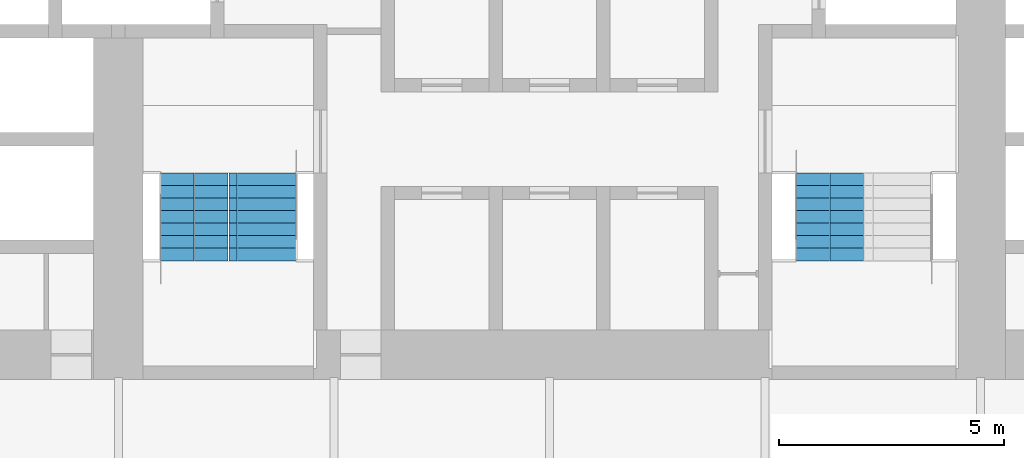
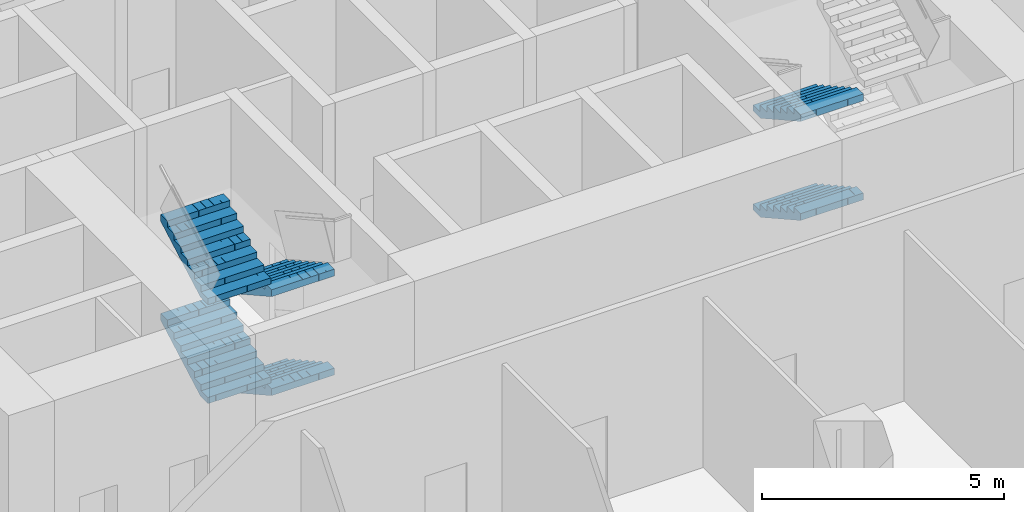
# One storey, part 24 of 29: 6 stair flights, 2 elements without a shape of their own.
"""IFC4 building model written with IfcOpenShell, lengths in metres."""

from ifc_helpers import new_model, si_unit, direction, frame, origin, place, context, subcontext, project, spatial, polyline, outline, extrude, material, type_object, element, aggregate, save


model = new_model("IFC4")

# Units and contexts
model_context = context("Model", 3, precision=1e-05, world=origin(), true_north=direction((0.0, 1.0)))
body_context = subcontext(model_context, "Body", "Model", "MODEL_VIEW")
ifc_project = project(units=[si_unit("LENGTHUNIT", "METRE"), si_unit("AREAUNIT", "SQUARE_METRE"), si_unit("VOLUMEUNIT", "CUBIC_METRE"), si_unit("PLANEANGLEUNIT", "RADIAN"), si_unit("MASSUNIT", "GRAM", prefix="KILO")], contexts=[model_context])

# Site, building, storey
site_placement = place(None, origin())
site = spatial("IfcSite", under=ifc_project, at=site_placement, CompositionType="ELEMENT")
building_placement = place(site_placement, origin())
building = spatial("IfcBuilding", under=site, at=building_placement, Name="Kolab Exchange Tower", CompositionType="ELEMENT")
storey_placement = place(building_placement, frame((0.0, 0.0, 17.39990234375)))
storey = spatial("IfcBuildingStorey", under=building, at=storey_placement, Name="L03", CompositionType="ELEMENT", Elevation=17.39990234375)

# Stair, stair flights
ifc_material = material(Name="Concrete C50/60", Category="concrete")
stair_type_1 = type_object("IfcStairType", Name="STAIR ST3 RISER 156.2", PredefinedType="DOUBLE_RETURN_STAIR", material=ifc_material)
stair_1_placement = place(storey_placement, origin())
stair_1 = element("IfcStair", 1, at=stair_1_placement, inside=storey, type_object=stair_type_1, Name="Stair 3", PredefinedType="DOUBLE_RETURN_STAIR")
stair_flight_type = type_object("IfcStairFlightType", Name="STAIR FLIGHT 1500 RISER 156.2", PredefinedType="STRAIGHT", material=ifc_material)
stair_flight_1_placement = place(storey_placement, frame((-6.389892578125, -5.550048828125, 0.0), z_axis=(0.0, 0.0, 1.0), x_axis=(0.0, -1.0, 0.0)))
stair_flight_1 = element("IfcStairFlight", 2, at=stair_flight_1_placement, type_object=stair_flight_type, Name="ST3 flight 1", NumberOfRisers=8, NumberOfTreads=7, PredefinedType="STRAIGHT", RiserHeight=0.15625, TreadLength=0.28, context=body_context, shape_type="SweptSolid", body=[
    extrude(outline(polyline([(0.0, 0.0), (0.0, 0.15625), (0.280029296875, 0.15625), (0.280029296875, 0.3125), (0.56005859375, 0.3125), (0.56005859375, 0.46875), (0.840087890625, 0.46875), (0.840087890625, 0.625), (1.1201171875, 0.625), (1.1201171875, 0.78125), (1.39990234375, 0.78125), (1.39990234375, 0.9375), (1.679931640625, 0.9375), (1.679931640625, 1.09375), (1.9599609375, 1.09375), (1.9599609375, 1.25), (1.9599609375, 0.922119140625), (0.3076171875, 0.0), (0.0, 0.0)])), frame((0.0, 0.75, 0.0), z_axis=(0.0, -1.0, 0.0), x_axis=(1.0, 0.0, 0.0)), (0.0, 0.0, 1.0), 0.185791015625),
    extrude(outline(polyline([(0.0, 0.0), (0.0, 0.15625), (0.280029296875, 0.15625), (0.280029296875, 0.3125), (0.56005859375, 0.3125), (0.56005859375, 0.46875), (0.840087890625, 0.46875), (0.840087890625, 0.625), (1.1201171875, 0.625), (1.1201171875, 0.78125), (1.39990234375, 0.78125), (1.39990234375, 0.9375), (1.679931640625, 0.9375), (1.679931640625, 1.09375), (1.9599609375, 1.09375), (1.9599609375, 1.25), (1.9599609375, 0.922119140625), (0.3076171875, 0.0), (0.0, 0.0)])), frame((0.0, 0.562255859375, 0.0), z_axis=(0.0, -1.0, 0.0), x_axis=(1.0, 0.0, 0.0)), (0.0, 0.0, 1.0), 0.185791015625),
    extrude(outline(polyline([(0.0, 0.0), (0.0, 0.15625), (0.280029296875, 0.15625), (0.280029296875, 0.3125), (0.56005859375, 0.3125), (0.56005859375, 0.46875), (0.840087890625, 0.46875), (0.840087890625, 0.625), (1.1201171875, 0.625), (1.1201171875, 0.78125), (1.39990234375, 0.78125), (1.39990234375, 0.9375), (1.679931640625, 0.9375), (1.679931640625, 1.09375), (1.9599609375, 1.09375), (1.9599609375, 1.25), (1.9599609375, 0.922119140625), (0.3076171875, 0.0), (0.0, 0.0)])), frame((0.0, 0.37451171875, 0.0), z_axis=(0.0, -1.0, 0.0), x_axis=(1.0, 0.0, 0.0)), (0.0, 0.0, 1.0), 0.185791015625),
    extrude(outline(polyline([(0.0, 0.0), (0.0, 0.15625), (0.280029296875, 0.15625), (0.280029296875, 0.3125), (0.56005859375, 0.3125), (0.56005859375, 0.46875), (0.840087890625, 0.46875), (0.840087890625, 0.625), (1.1201171875, 0.625), (1.1201171875, 0.78125), (1.39990234375, 0.78125), (1.39990234375, 0.9375), (1.679931640625, 0.9375), (1.679931640625, 1.09375), (1.9599609375, 1.09375), (1.9599609375, 1.25), (1.9599609375, 0.922119140625), (0.3076171875, 0.0), (0.0, 0.0)])), frame((0.0, 0.186767578125, 0.0), z_axis=(0.0, -1.0, 0.0), x_axis=(1.0, 0.0, 0.0)), (0.0, 0.0, 1.0), 0.185791015625),
    extrude(outline(polyline([(0.0, 0.0), (0.0, 0.15625), (0.280029296875, 0.15625), (0.280029296875, 0.3125), (0.56005859375, 0.3125), (0.56005859375, 0.46875), (0.840087890625, 0.46875), (0.840087890625, 0.625), (1.1201171875, 0.625), (1.1201171875, 0.78125), (1.39990234375, 0.78125), (1.39990234375, 0.9375), (1.679931640625, 0.9375), (1.679931640625, 1.09375), (1.9599609375, 1.09375), (1.9599609375, 1.25), (1.9599609375, 0.922119140625), (0.3076171875, 0.0), (0.0, 0.0)])), frame((0.0, -0.0009765625, 0.0), z_axis=(0.0, -1.0, 0.0), x_axis=(1.0, 0.0, 0.0)), (0.0, 0.0, 1.0), 0.185791015625),
    extrude(outline(polyline([(0.0, 0.0), (0.0, 0.15625), (0.280029296875, 0.15625), (0.280029296875, 0.3125), (0.56005859375, 0.3125), (0.56005859375, 0.46875), (0.840087890625, 0.46875), (0.840087890625, 0.625), (1.1201171875, 0.625), (1.1201171875, 0.78125), (1.39990234375, 0.78125), (1.39990234375, 0.9375), (1.679931640625, 0.9375), (1.679931640625, 1.09375), (1.9599609375, 1.09375), (1.9599609375, 1.25), (1.9599609375, 0.922119140625), (0.3076171875, 0.0), (0.0, 0.0)])), frame((0.0, -0.188720703125, 0.0), z_axis=(0.0, -1.0, 0.0), x_axis=(1.0, 0.0, 0.0)), (0.0, 0.0, 1.0), 0.185791015625),
    extrude(outline(polyline([(0.0, 0.0), (0.0, 0.15625), (0.280029296875, 0.15625), (0.280029296875, 0.3125), (0.56005859375, 0.3125), (0.56005859375, 0.46875), (0.840087890625, 0.46875), (0.840087890625, 0.625), (1.1201171875, 0.625), (1.1201171875, 0.78125), (1.39990234375, 0.78125), (1.39990234375, 0.9375), (1.679931640625, 0.9375), (1.679931640625, 1.09375), (1.9599609375, 1.09375), (1.9599609375, 1.25), (1.9599609375, 0.922119140625), (0.3076171875, 0.0), (0.0, 0.0)])), frame((0.0, -0.37646484375, 0.0), z_axis=(0.0, -1.0, 0.0), x_axis=(1.0, 0.0, 0.0)), (0.0, 0.0, 1.0), 0.185791015625),
    extrude(outline(polyline([(0.0, 0.0), (0.0, 0.15625), (0.280029296875, 0.15625), (0.280029296875, 0.3125), (0.56005859375, 0.3125), (0.56005859375, 0.46875), (0.840087890625, 0.46875), (0.840087890625, 0.625), (1.1201171875, 0.625), (1.1201171875, 0.78125), (1.39990234375, 0.78125), (1.39990234375, 0.9375), (1.679931640625, 0.9375), (1.679931640625, 1.09375), (1.9599609375, 1.09375), (1.9599609375, 1.25), (1.9599609375, 0.922119140625), (0.3076171875, 0.0), (0.0, 0.0)])), frame((0.0, -0.564208984375, 0.0), z_axis=(0.0, -1.0, 0.0), x_axis=(1.0, 0.0, 0.0)), (0.0, 0.0, 1.0), 0.185791015625),
])
stair_flight_2_placement = place(storey_placement, frame((-7.909912109375, -7.510009765625, 1.25), z_axis=(0.0, 0.0, 1.0), x_axis=(0.0, 1.0, 0.0)))
stair_flight_2 = element("IfcStairFlight", 3, at=stair_flight_2_placement, type_object=stair_flight_type, Name="ST3 flight 2", NumberOfRisers=8, NumberOfTreads=7, PredefinedType="STRAIGHT", RiserHeight=0.15625, TreadLength=0.28, context=body_context, shape_type="SweptSolid", body=[
    extrude(outline(polyline([(0.0, 0.0), (0.0, 0.15625), (0.280029296875, 0.15625), (0.280029296875, 0.3125), (0.56005859375, 0.3125), (0.56005859375, 0.46875), (0.840087890625, 0.46875), (0.840087890625, 0.625), (1.1201171875, 0.625), (1.1201171875, 0.78125), (1.39990234375, 0.78125), (1.39990234375, 0.9375), (1.679931640625, 0.9375), (1.679931640625, 1.09375), (1.9599609375, 1.09375), (1.9599609375, 1.25), (1.9599609375, 0.922119140625), (0.3076171875, 0.0), (0.0, 0.0)])), frame((0.0, 0.75, 0.0), z_axis=(0.0, -1.0, 0.0), x_axis=(1.0, 0.0, 0.0)), (0.0, 0.0, 1.0), 0.185791015625),
    extrude(outline(polyline([(0.0, 0.0), (0.0, 0.15625), (0.280029296875, 0.15625), (0.280029296875, 0.3125), (0.56005859375, 0.3125), (0.56005859375, 0.46875), (0.840087890625, 0.46875), (0.840087890625, 0.625), (1.1201171875, 0.625), (1.1201171875, 0.78125), (1.39990234375, 0.78125), (1.39990234375, 0.9375), (1.679931640625, 0.9375), (1.679931640625, 1.09375), (1.9599609375, 1.09375), (1.9599609375, 1.25), (1.9599609375, 0.922119140625), (0.3076171875, 0.0), (0.0, 0.0)])), frame((0.0, 0.562255859375, 0.0), z_axis=(0.0, -1.0, 0.0), x_axis=(1.0, 0.0, 0.0)), (0.0, 0.0, 1.0), 0.185791015625),
    extrude(outline(polyline([(0.0, 0.0), (0.0, 0.15625), (0.280029296875, 0.15625), (0.280029296875, 0.3125), (0.56005859375, 0.3125), (0.56005859375, 0.46875), (0.840087890625, 0.46875), (0.840087890625, 0.625), (1.1201171875, 0.625), (1.1201171875, 0.78125), (1.39990234375, 0.78125), (1.39990234375, 0.9375), (1.679931640625, 0.9375), (1.679931640625, 1.09375), (1.9599609375, 1.09375), (1.9599609375, 1.25), (1.9599609375, 0.922119140625), (0.3076171875, 0.0), (0.0, 0.0)])), frame((0.0, 0.37451171875, 0.0), z_axis=(0.0, -1.0, 0.0), x_axis=(1.0, 0.0, 0.0)), (0.0, 0.0, 1.0), 0.185791015625),
    extrude(outline(polyline([(0.0, 0.0), (0.0, 0.15625), (0.280029296875, 0.15625), (0.280029296875, 0.3125), (0.56005859375, 0.3125), (0.56005859375, 0.46875), (0.840087890625, 0.46875), (0.840087890625, 0.625), (1.1201171875, 0.625), (1.1201171875, 0.78125), (1.39990234375, 0.78125), (1.39990234375, 0.9375), (1.679931640625, 0.9375), (1.679931640625, 1.09375), (1.9599609375, 1.09375), (1.9599609375, 1.25), (1.9599609375, 0.922119140625), (0.3076171875, 0.0), (0.0, 0.0)])), frame((0.0, 0.186767578125, 0.0), z_axis=(0.0, -1.0, 0.0), x_axis=(1.0, 0.0, 0.0)), (0.0, 0.0, 1.0), 0.185791015625),
    extrude(outline(polyline([(0.0, 0.0), (0.0, 0.15625), (0.280029296875, 0.15625), (0.280029296875, 0.3125), (0.56005859375, 0.3125), (0.56005859375, 0.46875), (0.840087890625, 0.46875), (0.840087890625, 0.625), (1.1201171875, 0.625), (1.1201171875, 0.78125), (1.39990234375, 0.78125), (1.39990234375, 0.9375), (1.679931640625, 0.9375), (1.679931640625, 1.09375), (1.9599609375, 1.09375), (1.9599609375, 1.25), (1.9599609375, 0.922119140625), (0.3076171875, 0.0), (0.0, 0.0)])), frame((0.0, -0.0009765625, 0.0), z_axis=(0.0, -1.0, 0.0), x_axis=(1.0, 0.0, 0.0)), (0.0, 0.0, 1.0), 0.185791015625),
    extrude(outline(polyline([(0.0, 0.0), (0.0, 0.15625), (0.280029296875, 0.15625), (0.280029296875, 0.3125), (0.56005859375, 0.3125), (0.56005859375, 0.46875), (0.840087890625, 0.46875), (0.840087890625, 0.625), (1.1201171875, 0.625), (1.1201171875, 0.78125), (1.39990234375, 0.78125), (1.39990234375, 0.9375), (1.679931640625, 0.9375), (1.679931640625, 1.09375), (1.9599609375, 1.09375), (1.9599609375, 1.25), (1.9599609375, 0.922119140625), (0.3076171875, 0.0), (0.0, 0.0)])), frame((0.0, -0.188720703125, 0.0), z_axis=(0.0, -1.0, 0.0), x_axis=(1.0, 0.0, 0.0)), (0.0, 0.0, 1.0), 0.185791015625),
    extrude(outline(polyline([(0.0, 0.0), (0.0, 0.15625), (0.280029296875, 0.15625), (0.280029296875, 0.3125), (0.56005859375, 0.3125), (0.56005859375, 0.46875), (0.840087890625, 0.46875), (0.840087890625, 0.625), (1.1201171875, 0.625), (1.1201171875, 0.78125), (1.39990234375, 0.78125), (1.39990234375, 0.9375), (1.679931640625, 0.9375), (1.679931640625, 1.09375), (1.9599609375, 1.09375), (1.9599609375, 1.25), (1.9599609375, 0.922119140625), (0.3076171875, 0.0), (0.0, 0.0)])), frame((0.0, -0.37646484375, 0.0), z_axis=(0.0, -1.0, 0.0), x_axis=(1.0, 0.0, 0.0)), (0.0, 0.0, 1.0), 0.185791015625),
    extrude(outline(polyline([(0.0, 0.0), (0.0, 0.15625), (0.280029296875, 0.15625), (0.280029296875, 0.3125), (0.56005859375, 0.3125), (0.56005859375, 0.46875), (0.840087890625, 0.46875), (0.840087890625, 0.625), (1.1201171875, 0.625), (1.1201171875, 0.78125), (1.39990234375, 0.78125), (1.39990234375, 0.9375), (1.679931640625, 0.9375), (1.679931640625, 1.09375), (1.9599609375, 1.09375), (1.9599609375, 1.25), (1.9599609375, 0.922119140625), (0.3076171875, 0.0), (0.0, 0.0)])), frame((0.0, -0.564208984375, 0.0), z_axis=(0.0, -1.0, 0.0), x_axis=(1.0, 0.0, 0.0)), (0.0, 0.0, 1.0), 0.185791015625),
])
stair_flight_3_placement = place(storey_placement, frame((-6.389892578125, -5.550048828125, 2.5), z_axis=(0.0, 0.0, 1.0), x_axis=(0.0, -1.0, 0.0)))
stair_flight_3 = element("IfcStairFlight", 4, at=stair_flight_3_placement, type_object=stair_flight_type, Name="ST3 flight 3", NumberOfRisers=8, NumberOfTreads=7, PredefinedType="STRAIGHT", RiserHeight=0.15625, TreadLength=0.28, context=body_context, shape_type="SweptSolid", body=[
    extrude(outline(polyline([(0.0, 0.0), (0.0, 0.15625), (0.280029296875, 0.15625), (0.280029296875, 0.3125), (0.56005859375, 0.3125), (0.56005859375, 0.46875), (0.840087890625, 0.46875), (0.840087890625, 0.625), (1.1201171875, 0.625), (1.1201171875, 0.78125), (1.39990234375, 0.78125), (1.39990234375, 0.9375), (1.679931640625, 0.9375), (1.679931640625, 1.09375), (1.9599609375, 1.09375), (1.9599609375, 1.25), (1.9599609375, 0.922119140625), (0.3076171875, 0.0), (0.0, 0.0)])), frame((0.0, 0.75, 0.0), z_axis=(0.0, -1.0, 0.0), x_axis=(1.0, 0.0, 0.0)), (0.0, 0.0, 1.0), 0.185791015625),
    extrude(outline(polyline([(0.0, 0.0), (0.0, 0.15625), (0.280029296875, 0.15625), (0.280029296875, 0.3125), (0.56005859375, 0.3125), (0.56005859375, 0.46875), (0.840087890625, 0.46875), (0.840087890625, 0.625), (1.1201171875, 0.625), (1.1201171875, 0.78125), (1.39990234375, 0.78125), (1.39990234375, 0.9375), (1.679931640625, 0.9375), (1.679931640625, 1.09375), (1.9599609375, 1.09375), (1.9599609375, 1.25), (1.9599609375, 0.922119140625), (0.3076171875, 0.0), (0.0, 0.0)])), frame((0.0, 0.562255859375, 0.0), z_axis=(0.0, -1.0, 0.0), x_axis=(1.0, 0.0, 0.0)), (0.0, 0.0, 1.0), 0.185791015625),
    extrude(outline(polyline([(0.0, 0.0), (0.0, 0.15625), (0.280029296875, 0.15625), (0.280029296875, 0.3125), (0.56005859375, 0.3125), (0.56005859375, 0.46875), (0.840087890625, 0.46875), (0.840087890625, 0.625), (1.1201171875, 0.625), (1.1201171875, 0.78125), (1.39990234375, 0.78125), (1.39990234375, 0.9375), (1.679931640625, 0.9375), (1.679931640625, 1.09375), (1.9599609375, 1.09375), (1.9599609375, 1.25), (1.9599609375, 0.922119140625), (0.3076171875, 0.0), (0.0, 0.0)])), frame((0.0, 0.37451171875, 0.0), z_axis=(0.0, -1.0, 0.0), x_axis=(1.0, 0.0, 0.0)), (0.0, 0.0, 1.0), 0.185791015625),
    extrude(outline(polyline([(0.0, 0.0), (0.0, 0.15625), (0.280029296875, 0.15625), (0.280029296875, 0.3125), (0.56005859375, 0.3125), (0.56005859375, 0.46875), (0.840087890625, 0.46875), (0.840087890625, 0.625), (1.1201171875, 0.625), (1.1201171875, 0.78125), (1.39990234375, 0.78125), (1.39990234375, 0.9375), (1.679931640625, 0.9375), (1.679931640625, 1.09375), (1.9599609375, 1.09375), (1.9599609375, 1.25), (1.9599609375, 0.922119140625), (0.3076171875, 0.0), (0.0, 0.0)])), frame((0.0, 0.186767578125, 0.0), z_axis=(0.0, -1.0, 0.0), x_axis=(1.0, 0.0, 0.0)), (0.0, 0.0, 1.0), 0.185791015625),
    extrude(outline(polyline([(0.0, 0.0), (0.0, 0.15625), (0.280029296875, 0.15625), (0.280029296875, 0.3125), (0.56005859375, 0.3125), (0.56005859375, 0.46875), (0.840087890625, 0.46875), (0.840087890625, 0.625), (1.1201171875, 0.625), (1.1201171875, 0.78125), (1.39990234375, 0.78125), (1.39990234375, 0.9375), (1.679931640625, 0.9375), (1.679931640625, 1.09375), (1.9599609375, 1.09375), (1.9599609375, 1.25), (1.9599609375, 0.922119140625), (0.3076171875, 0.0), (0.0, 0.0)])), frame((0.0, -0.0009765625, 0.0), z_axis=(0.0, -1.0, 0.0), x_axis=(1.0, 0.0, 0.0)), (0.0, 0.0, 1.0), 0.185791015625),
    extrude(outline(polyline([(0.0, 0.0), (0.0, 0.15625), (0.280029296875, 0.15625), (0.280029296875, 0.3125), (0.56005859375, 0.3125), (0.56005859375, 0.46875), (0.840087890625, 0.46875), (0.840087890625, 0.625), (1.1201171875, 0.625), (1.1201171875, 0.78125), (1.39990234375, 0.78125), (1.39990234375, 0.9375), (1.679931640625, 0.9375), (1.679931640625, 1.09375), (1.9599609375, 1.09375), (1.9599609375, 1.25), (1.9599609375, 0.922119140625), (0.3076171875, 0.0), (0.0, 0.0)])), frame((0.0, -0.188720703125, 0.0), z_axis=(0.0, -1.0, 0.0), x_axis=(1.0, 0.0, 0.0)), (0.0, 0.0, 1.0), 0.185791015625),
    extrude(outline(polyline([(0.0, 0.0), (0.0, 0.15625), (0.280029296875, 0.15625), (0.280029296875, 0.3125), (0.56005859375, 0.3125), (0.56005859375, 0.46875), (0.840087890625, 0.46875), (0.840087890625, 0.625), (1.1201171875, 0.625), (1.1201171875, 0.78125), (1.39990234375, 0.78125), (1.39990234375, 0.9375), (1.679931640625, 0.9375), (1.679931640625, 1.09375), (1.9599609375, 1.09375), (1.9599609375, 1.25), (1.9599609375, 0.922119140625), (0.3076171875, 0.0), (0.0, 0.0)])), frame((0.0, -0.37646484375, 0.0), z_axis=(0.0, -1.0, 0.0), x_axis=(1.0, 0.0, 0.0)), (0.0, 0.0, 1.0), 0.185791015625),
    extrude(outline(polyline([(0.0, 0.0), (0.0, 0.15625), (0.280029296875, 0.15625), (0.280029296875, 0.3125), (0.56005859375, 0.3125), (0.56005859375, 0.46875), (0.840087890625, 0.46875), (0.840087890625, 0.625), (1.1201171875, 0.625), (1.1201171875, 0.78125), (1.39990234375, 0.78125), (1.39990234375, 0.9375), (1.679931640625, 0.9375), (1.679931640625, 1.09375), (1.9599609375, 1.09375), (1.9599609375, 1.25), (1.9599609375, 0.922119140625), (0.3076171875, 0.0), (0.0, 0.0)])), frame((0.0, -0.564208984375, 0.0), z_axis=(0.0, -1.0, 0.0), x_axis=(1.0, 0.0, 0.0)), (0.0, 0.0, 1.0), 0.185791015625),
])
stair_flight_4_placement = place(storey_placement, frame((-7.909912109375, -7.510009765625, 3.75), z_axis=(0.0, 0.0, 1.0), x_axis=(0.0, 1.0, 0.0)))
stair_flight_4 = element("IfcStairFlight", 5, at=stair_flight_4_placement, type_object=stair_flight_type, Name="ST3 flight 4", NumberOfRisers=8, NumberOfTreads=7, PredefinedType="STRAIGHT", RiserHeight=0.15625, TreadLength=0.28, context=body_context, shape_type="SweptSolid", body=[
    extrude(outline(polyline([(0.0, 0.0), (0.0, 0.15625), (0.280029296875, 0.15625), (0.280029296875, 0.3125), (0.56005859375, 0.3125), (0.56005859375, 0.46875), (0.840087890625, 0.46875), (0.840087890625, 0.625), (1.1201171875, 0.625), (1.1201171875, 0.78125), (1.39990234375, 0.78125), (1.39990234375, 0.9375), (1.679931640625, 0.9375), (1.679931640625, 1.09375), (1.9599609375, 1.09375), (1.9599609375, 1.25), (1.9599609375, 0.922119140625), (0.3076171875, 0.0), (0.0, 0.0)])), frame((0.0, 0.75, 0.0), z_axis=(0.0, -1.0, 0.0), x_axis=(1.0, 0.0, 0.0)), (0.0, 0.0, 1.0), 0.185791015625),
    extrude(outline(polyline([(0.0, 0.0), (0.0, 0.15625), (0.280029296875, 0.15625), (0.280029296875, 0.3125), (0.56005859375, 0.3125), (0.56005859375, 0.46875), (0.840087890625, 0.46875), (0.840087890625, 0.625), (1.1201171875, 0.625), (1.1201171875, 0.78125), (1.39990234375, 0.78125), (1.39990234375, 0.9375), (1.679931640625, 0.9375), (1.679931640625, 1.09375), (1.9599609375, 1.09375), (1.9599609375, 1.25), (1.9599609375, 0.922119140625), (0.3076171875, 0.0), (0.0, 0.0)])), frame((0.0, 0.562255859375, 0.0), z_axis=(0.0, -1.0, 0.0), x_axis=(1.0, 0.0, 0.0)), (0.0, 0.0, 1.0), 0.185791015625),
    extrude(outline(polyline([(0.0, 0.0), (0.0, 0.15625), (0.280029296875, 0.15625), (0.280029296875, 0.3125), (0.56005859375, 0.3125), (0.56005859375, 0.46875), (0.840087890625, 0.46875), (0.840087890625, 0.625), (1.1201171875, 0.625), (1.1201171875, 0.78125), (1.39990234375, 0.78125), (1.39990234375, 0.9375), (1.679931640625, 0.9375), (1.679931640625, 1.09375), (1.9599609375, 1.09375), (1.9599609375, 1.25), (1.9599609375, 0.922119140625), (0.3076171875, 0.0), (0.0, 0.0)])), frame((0.0, 0.37451171875, 0.0), z_axis=(0.0, -1.0, 0.0), x_axis=(1.0, 0.0, 0.0)), (0.0, 0.0, 1.0), 0.185791015625),
    extrude(outline(polyline([(0.0, 0.0), (0.0, 0.15625), (0.280029296875, 0.15625), (0.280029296875, 0.3125), (0.56005859375, 0.3125), (0.56005859375, 0.46875), (0.840087890625, 0.46875), (0.840087890625, 0.625), (1.1201171875, 0.625), (1.1201171875, 0.78125), (1.39990234375, 0.78125), (1.39990234375, 0.9375), (1.679931640625, 0.9375), (1.679931640625, 1.09375), (1.9599609375, 1.09375), (1.9599609375, 1.25), (1.9599609375, 0.922119140625), (0.3076171875, 0.0), (0.0, 0.0)])), frame((0.0, 0.186767578125, 0.0), z_axis=(0.0, -1.0, 0.0), x_axis=(1.0, 0.0, 0.0)), (0.0, 0.0, 1.0), 0.185791015625),
    extrude(outline(polyline([(0.0, 0.0), (0.0, 0.15625), (0.280029296875, 0.15625), (0.280029296875, 0.3125), (0.56005859375, 0.3125), (0.56005859375, 0.46875), (0.840087890625, 0.46875), (0.840087890625, 0.625), (1.1201171875, 0.625), (1.1201171875, 0.78125), (1.39990234375, 0.78125), (1.39990234375, 0.9375), (1.679931640625, 0.9375), (1.679931640625, 1.09375), (1.9599609375, 1.09375), (1.9599609375, 1.25), (1.9599609375, 0.922119140625), (0.3076171875, 0.0), (0.0, 0.0)])), frame((0.0, -0.0009765625, 0.0), z_axis=(0.0, -1.0, 0.0), x_axis=(1.0, 0.0, 0.0)), (0.0, 0.0, 1.0), 0.185791015625),
    extrude(outline(polyline([(0.0, 0.0), (0.0, 0.15625), (0.280029296875, 0.15625), (0.280029296875, 0.3125), (0.56005859375, 0.3125), (0.56005859375, 0.46875), (0.840087890625, 0.46875), (0.840087890625, 0.625), (1.1201171875, 0.625), (1.1201171875, 0.78125), (1.39990234375, 0.78125), (1.39990234375, 0.9375), (1.679931640625, 0.9375), (1.679931640625, 1.09375), (1.9599609375, 1.09375), (1.9599609375, 1.25), (1.9599609375, 0.922119140625), (0.3076171875, 0.0), (0.0, 0.0)])), frame((0.0, -0.188720703125, 0.0), z_axis=(0.0, -1.0, 0.0), x_axis=(1.0, 0.0, 0.0)), (0.0, 0.0, 1.0), 0.185791015625),
    extrude(outline(polyline([(0.0, 0.0), (0.0, 0.15625), (0.280029296875, 0.15625), (0.280029296875, 0.3125), (0.56005859375, 0.3125), (0.56005859375, 0.46875), (0.840087890625, 0.46875), (0.840087890625, 0.625), (1.1201171875, 0.625), (1.1201171875, 0.78125), (1.39990234375, 0.78125), (1.39990234375, 0.9375), (1.679931640625, 0.9375), (1.679931640625, 1.09375), (1.9599609375, 1.09375), (1.9599609375, 1.25), (1.9599609375, 0.922119140625), (0.3076171875, 0.0), (0.0, 0.0)])), frame((0.0, -0.37646484375, 0.0), z_axis=(0.0, -1.0, 0.0), x_axis=(1.0, 0.0, 0.0)), (0.0, 0.0, 1.0), 0.185791015625),
    extrude(outline(polyline([(0.0, 0.0), (0.0, 0.15625), (0.280029296875, 0.15625), (0.280029296875, 0.3125), (0.56005859375, 0.3125), (0.56005859375, 0.46875), (0.840087890625, 0.46875), (0.840087890625, 0.625), (1.1201171875, 0.625), (1.1201171875, 0.78125), (1.39990234375, 0.78125), (1.39990234375, 0.9375), (1.679931640625, 0.9375), (1.679931640625, 1.09375), (1.9599609375, 1.09375), (1.9599609375, 1.25), (1.9599609375, 0.922119140625), (0.3076171875, 0.0), (0.0, 0.0)])), frame((0.0, -0.564208984375, 0.0), z_axis=(0.0, -1.0, 0.0), x_axis=(1.0, 0.0, 0.0)), (0.0, 0.0, 1.0), 0.185791015625),
])
aggregate(stair_1, [stair_flight_1, stair_flight_2, stair_flight_3, stair_flight_4])

stair_type_2 = type_object("IfcStairType", Name="STAIR ST2 RISER 156.2", PredefinedType="DOUBLE_RETURN_STAIR", material=ifc_material)
stair_2_placement = place(storey_placement, origin())
stair_2 = element("IfcStair", 6, at=stair_2_placement, inside=storey, type_object=stair_type_2, Name="Stair 2", PredefinedType="DOUBLE_RETURN_STAIR")
stair_flight_5_placement = place(storey_placement, frame((6.239990234375, -5.550048828125, 0.0), z_axis=(0.0, 0.0, 1.0), x_axis=(0.0, -1.0, 0.0)))
stair_flight_5 = element("IfcStairFlight", 7, at=stair_flight_5_placement, type_object=stair_flight_type, Name="ST2 flight 1", NumberOfRisers=8, NumberOfTreads=7, PredefinedType="STRAIGHT", RiserHeight=0.15625, TreadLength=0.28, context=body_context, shape_type="SweptSolid", body=[
    extrude(outline(polyline([(0.0, 0.0), (0.0, 0.15625), (0.280029296875, 0.15625), (0.280029296875, 0.3125), (0.56005859375, 0.3125), (0.56005859375, 0.46875), (0.840087890625, 0.46875), (0.840087890625, 0.625), (1.1201171875, 0.625), (1.1201171875, 0.78125), (1.39990234375, 0.78125), (1.39990234375, 0.9375), (1.679931640625, 0.9375), (1.679931640625, 1.09375), (1.9599609375, 1.09375), (1.9599609375, 1.25), (1.9599609375, 0.922119140625), (0.3076171875, 0.0), (0.0, 0.0)])), frame((0.0, 0.75, 0.0), z_axis=(0.0, -1.0, 0.0), x_axis=(1.0, 0.0, 0.0)), (0.0, 0.0, 1.0), 0.185791015625),
    extrude(outline(polyline([(0.0, 0.0), (0.0, 0.15625), (0.280029296875, 0.15625), (0.280029296875, 0.3125), (0.56005859375, 0.3125), (0.56005859375, 0.46875), (0.840087890625, 0.46875), (0.840087890625, 0.625), (1.1201171875, 0.625), (1.1201171875, 0.78125), (1.39990234375, 0.78125), (1.39990234375, 0.9375), (1.679931640625, 0.9375), (1.679931640625, 1.09375), (1.9599609375, 1.09375), (1.9599609375, 1.25), (1.9599609375, 0.922119140625), (0.3076171875, 0.0), (0.0, 0.0)])), frame((0.0, 0.562255859375, 0.0), z_axis=(0.0, -1.0, 0.0), x_axis=(1.0, 0.0, 0.0)), (0.0, 0.0, 1.0), 0.185791015625),
    extrude(outline(polyline([(0.0, 0.0), (0.0, 0.15625), (0.280029296875, 0.15625), (0.280029296875, 0.3125), (0.56005859375, 0.3125), (0.56005859375, 0.46875), (0.840087890625, 0.46875), (0.840087890625, 0.625), (1.1201171875, 0.625), (1.1201171875, 0.78125), (1.39990234375, 0.78125), (1.39990234375, 0.9375), (1.679931640625, 0.9375), (1.679931640625, 1.09375), (1.9599609375, 1.09375), (1.9599609375, 1.25), (1.9599609375, 0.922119140625), (0.3076171875, 0.0), (0.0, 0.0)])), frame((0.0, 0.37451171875, 0.0), z_axis=(0.0, -1.0, 0.0), x_axis=(1.0, 0.0, 0.0)), (0.0, 0.0, 1.0), 0.185791015625),
    extrude(outline(polyline([(0.0, 0.0), (0.0, 0.15625), (0.280029296875, 0.15625), (0.280029296875, 0.3125), (0.56005859375, 0.3125), (0.56005859375, 0.46875), (0.840087890625, 0.46875), (0.840087890625, 0.625), (1.1201171875, 0.625), (1.1201171875, 0.78125), (1.39990234375, 0.78125), (1.39990234375, 0.9375), (1.679931640625, 0.9375), (1.679931640625, 1.09375), (1.9599609375, 1.09375), (1.9599609375, 1.25), (1.9599609375, 0.922119140625), (0.3076171875, 0.0), (0.0, 0.0)])), frame((0.0, 0.186767578125, 0.0), z_axis=(0.0, -1.0, 0.0), x_axis=(1.0, 0.0, 0.0)), (0.0, 0.0, 1.0), 0.185791015625),
    extrude(outline(polyline([(0.0, 0.0), (0.0, 0.15625), (0.280029296875, 0.15625), (0.280029296875, 0.3125), (0.56005859375, 0.3125), (0.56005859375, 0.46875), (0.840087890625, 0.46875), (0.840087890625, 0.625), (1.1201171875, 0.625), (1.1201171875, 0.78125), (1.39990234375, 0.78125), (1.39990234375, 0.9375), (1.679931640625, 0.9375), (1.679931640625, 1.09375), (1.9599609375, 1.09375), (1.9599609375, 1.25), (1.9599609375, 0.922119140625), (0.3076171875, 0.0), (0.0, 0.0)])), frame((0.0, -0.0009765625, 0.0), z_axis=(0.0, -1.0, 0.0), x_axis=(1.0, 0.0, 0.0)), (0.0, 0.0, 1.0), 0.185791015625),
    extrude(outline(polyline([(0.0, 0.0), (0.0, 0.15625), (0.280029296875, 0.15625), (0.280029296875, 0.3125), (0.56005859375, 0.3125), (0.56005859375, 0.46875), (0.840087890625, 0.46875), (0.840087890625, 0.625), (1.1201171875, 0.625), (1.1201171875, 0.78125), (1.39990234375, 0.78125), (1.39990234375, 0.9375), (1.679931640625, 0.9375), (1.679931640625, 1.09375), (1.9599609375, 1.09375), (1.9599609375, 1.25), (1.9599609375, 0.922119140625), (0.3076171875, 0.0), (0.0, 0.0)])), frame((0.0, -0.188720703125, 0.0), z_axis=(0.0, -1.0, 0.0), x_axis=(1.0, 0.0, 0.0)), (0.0, 0.0, 1.0), 0.185791015625),
    extrude(outline(polyline([(0.0, 0.0), (0.0, 0.15625), (0.280029296875, 0.15625), (0.280029296875, 0.3125), (0.56005859375, 0.3125), (0.56005859375, 0.46875), (0.840087890625, 0.46875), (0.840087890625, 0.625), (1.1201171875, 0.625), (1.1201171875, 0.78125), (1.39990234375, 0.78125), (1.39990234375, 0.9375), (1.679931640625, 0.9375), (1.679931640625, 1.09375), (1.9599609375, 1.09375), (1.9599609375, 1.25), (1.9599609375, 0.922119140625), (0.3076171875, 0.0), (0.0, 0.0)])), frame((0.0, -0.37646484375, 0.0), z_axis=(0.0, -1.0, 0.0), x_axis=(1.0, 0.0, 0.0)), (0.0, 0.0, 1.0), 0.185791015625),
    extrude(outline(polyline([(0.0, 0.0), (0.0, 0.15625), (0.280029296875, 0.15625), (0.280029296875, 0.3125), (0.56005859375, 0.3125), (0.56005859375, 0.46875), (0.840087890625, 0.46875), (0.840087890625, 0.625), (1.1201171875, 0.625), (1.1201171875, 0.78125), (1.39990234375, 0.78125), (1.39990234375, 0.9375), (1.679931640625, 0.9375), (1.679931640625, 1.09375), (1.9599609375, 1.09375), (1.9599609375, 1.25), (1.9599609375, 0.922119140625), (0.3076171875, 0.0), (0.0, 0.0)])), frame((0.0, -0.564208984375, 0.0), z_axis=(0.0, -1.0, 0.0), x_axis=(1.0, 0.0, 0.0)), (0.0, 0.0, 1.0), 0.185791015625),
])
stair_flight_6_placement = place(storey_placement, frame((6.239990234375, -5.550048828125, 2.5), z_axis=(0.0, 0.0, 1.0), x_axis=(0.0, -1.0, 0.0)))
stair_flight_6 = element("IfcStairFlight", 8, at=stair_flight_6_placement, type_object=stair_flight_type, Name="ST2 flight 3", NumberOfRisers=8, NumberOfTreads=7, PredefinedType="STRAIGHT", RiserHeight=0.15625, TreadLength=0.28, context=body_context, shape_type="SweptSolid", body=[
    extrude(outline(polyline([(0.0, 0.0), (0.0, 0.15625), (0.280029296875, 0.15625), (0.280029296875, 0.3125), (0.56005859375, 0.3125), (0.56005859375, 0.46875), (0.840087890625, 0.46875), (0.840087890625, 0.625), (1.1201171875, 0.625), (1.1201171875, 0.78125), (1.39990234375, 0.78125), (1.39990234375, 0.9375), (1.679931640625, 0.9375), (1.679931640625, 1.09375), (1.9599609375, 1.09375), (1.9599609375, 1.25), (1.9599609375, 0.922119140625), (0.3076171875, 0.0), (0.0, 0.0)])), frame((0.0, 0.75, 0.0), z_axis=(0.0, -1.0, 0.0), x_axis=(1.0, 0.0, 0.0)), (0.0, 0.0, 1.0), 0.185791015625),
    extrude(outline(polyline([(0.0, 0.0), (0.0, 0.15625), (0.280029296875, 0.15625), (0.280029296875, 0.3125), (0.56005859375, 0.3125), (0.56005859375, 0.46875), (0.840087890625, 0.46875), (0.840087890625, 0.625), (1.1201171875, 0.625), (1.1201171875, 0.78125), (1.39990234375, 0.78125), (1.39990234375, 0.9375), (1.679931640625, 0.9375), (1.679931640625, 1.09375), (1.9599609375, 1.09375), (1.9599609375, 1.25), (1.9599609375, 0.922119140625), (0.3076171875, 0.0), (0.0, 0.0)])), frame((0.0, 0.562255859375, 0.0), z_axis=(0.0, -1.0, 0.0), x_axis=(1.0, 0.0, 0.0)), (0.0, 0.0, 1.0), 0.185791015625),
    extrude(outline(polyline([(0.0, 0.0), (0.0, 0.15625), (0.280029296875, 0.15625), (0.280029296875, 0.3125), (0.56005859375, 0.3125), (0.56005859375, 0.46875), (0.840087890625, 0.46875), (0.840087890625, 0.625), (1.1201171875, 0.625), (1.1201171875, 0.78125), (1.39990234375, 0.78125), (1.39990234375, 0.9375), (1.679931640625, 0.9375), (1.679931640625, 1.09375), (1.9599609375, 1.09375), (1.9599609375, 1.25), (1.9599609375, 0.922119140625), (0.3076171875, 0.0), (0.0, 0.0)])), frame((0.0, 0.37451171875, 0.0), z_axis=(0.0, -1.0, 0.0), x_axis=(1.0, 0.0, 0.0)), (0.0, 0.0, 1.0), 0.185791015625),
    extrude(outline(polyline([(0.0, 0.0), (0.0, 0.15625), (0.280029296875, 0.15625), (0.280029296875, 0.3125), (0.56005859375, 0.3125), (0.56005859375, 0.46875), (0.840087890625, 0.46875), (0.840087890625, 0.625), (1.1201171875, 0.625), (1.1201171875, 0.78125), (1.39990234375, 0.78125), (1.39990234375, 0.9375), (1.679931640625, 0.9375), (1.679931640625, 1.09375), (1.9599609375, 1.09375), (1.9599609375, 1.25), (1.9599609375, 0.922119140625), (0.3076171875, 0.0), (0.0, 0.0)])), frame((0.0, 0.186767578125, 0.0), z_axis=(0.0, -1.0, 0.0), x_axis=(1.0, 0.0, 0.0)), (0.0, 0.0, 1.0), 0.185791015625),
    extrude(outline(polyline([(0.0, 0.0), (0.0, 0.15625), (0.280029296875, 0.15625), (0.280029296875, 0.3125), (0.56005859375, 0.3125), (0.56005859375, 0.46875), (0.840087890625, 0.46875), (0.840087890625, 0.625), (1.1201171875, 0.625), (1.1201171875, 0.78125), (1.39990234375, 0.78125), (1.39990234375, 0.9375), (1.679931640625, 0.9375), (1.679931640625, 1.09375), (1.9599609375, 1.09375), (1.9599609375, 1.25), (1.9599609375, 0.922119140625), (0.3076171875, 0.0), (0.0, 0.0)])), frame((0.0, -0.0009765625, 0.0), z_axis=(0.0, -1.0, 0.0), x_axis=(1.0, 0.0, 0.0)), (0.0, 0.0, 1.0), 0.185791015625),
    extrude(outline(polyline([(0.0, 0.0), (0.0, 0.15625), (0.280029296875, 0.15625), (0.280029296875, 0.3125), (0.56005859375, 0.3125), (0.56005859375, 0.46875), (0.840087890625, 0.46875), (0.840087890625, 0.625), (1.1201171875, 0.625), (1.1201171875, 0.78125), (1.39990234375, 0.78125), (1.39990234375, 0.9375), (1.679931640625, 0.9375), (1.679931640625, 1.09375), (1.9599609375, 1.09375), (1.9599609375, 1.25), (1.9599609375, 0.922119140625), (0.3076171875, 0.0), (0.0, 0.0)])), frame((0.0, -0.188720703125, 0.0), z_axis=(0.0, -1.0, 0.0), x_axis=(1.0, 0.0, 0.0)), (0.0, 0.0, 1.0), 0.185791015625),
    extrude(outline(polyline([(0.0, 0.0), (0.0, 0.15625), (0.280029296875, 0.15625), (0.280029296875, 0.3125), (0.56005859375, 0.3125), (0.56005859375, 0.46875), (0.840087890625, 0.46875), (0.840087890625, 0.625), (1.1201171875, 0.625), (1.1201171875, 0.78125), (1.39990234375, 0.78125), (1.39990234375, 0.9375), (1.679931640625, 0.9375), (1.679931640625, 1.09375), (1.9599609375, 1.09375), (1.9599609375, 1.25), (1.9599609375, 0.922119140625), (0.3076171875, 0.0), (0.0, 0.0)])), frame((0.0, -0.37646484375, 0.0), z_axis=(0.0, -1.0, 0.0), x_axis=(1.0, 0.0, 0.0)), (0.0, 0.0, 1.0), 0.185791015625),
    extrude(outline(polyline([(0.0, 0.0), (0.0, 0.15625), (0.280029296875, 0.15625), (0.280029296875, 0.3125), (0.56005859375, 0.3125), (0.56005859375, 0.46875), (0.840087890625, 0.46875), (0.840087890625, 0.625), (1.1201171875, 0.625), (1.1201171875, 0.78125), (1.39990234375, 0.78125), (1.39990234375, 0.9375), (1.679931640625, 0.9375), (1.679931640625, 1.09375), (1.9599609375, 1.09375), (1.9599609375, 1.25), (1.9599609375, 0.922119140625), (0.3076171875, 0.0), (0.0, 0.0)])), frame((0.0, -0.564208984375, 0.0), z_axis=(0.0, -1.0, 0.0), x_axis=(1.0, 0.0, 0.0)), (0.0, 0.0, 1.0), 0.185791015625),
])
aggregate(stair_2, [stair_flight_5, stair_flight_6])

save(model, "model.ifc")
